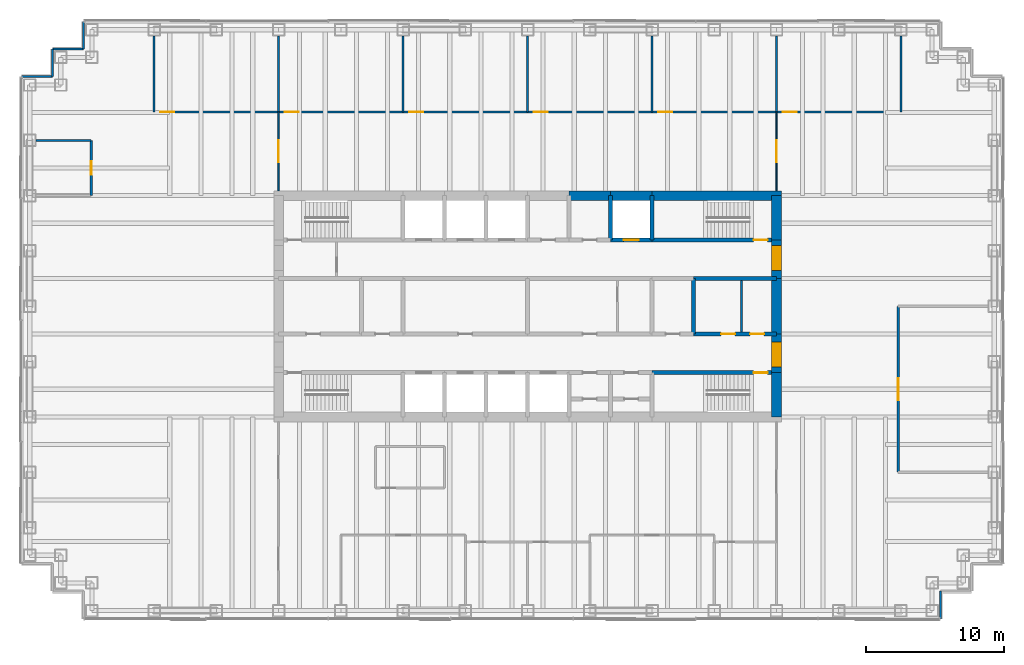
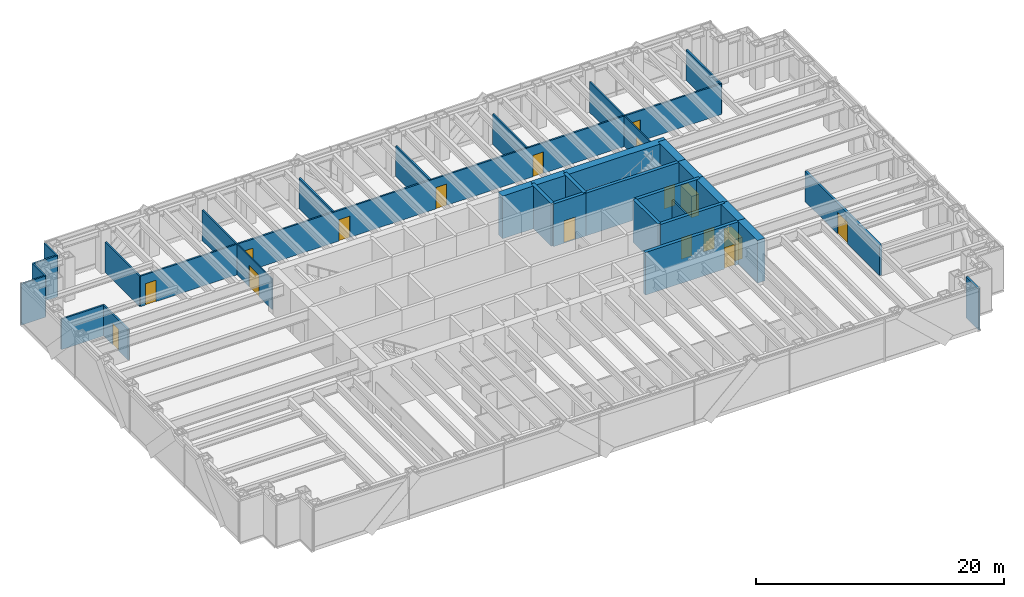
# One storey, part 13 of 15: 35 walls, 17 doors, 17 openings.
"""IFC4 building model written with IfcOpenShell, lengths in metres."""

from ifc_helpers import new_model, si_unit, direction, frame, frame_2d, origin, place, context, subcontext, project, spatial, rectangle, extrude, material, layer, layer_set, type_object, element, fill, save


model = new_model("IFC4")

# Units and contexts
model_context = context("Model", 3, precision=1e-05, world=origin(), true_north=direction((0.0, 1.0)))
body_context = subcontext(model_context, "Body", "Model", "MODEL_VIEW")
ifc_project = project(units=[si_unit("LENGTHUNIT", "METRE"), si_unit("AREAUNIT", "SQUARE_METRE"), si_unit("VOLUMEUNIT", "CUBIC_METRE"), si_unit("PLANEANGLEUNIT", "RADIAN"), si_unit("MASSUNIT", "GRAM", prefix="KILO")], contexts=[model_context])

# Site, building, storey
site_placement = place(None, origin())
site = spatial("IfcSite", under=ifc_project, at=site_placement, CompositionType="ELEMENT")
building_placement = place(site_placement, origin())
building = spatial("IfcBuilding", under=site, at=building_placement, Name="Rheinbord Bourse Tower", CompositionType="ELEMENT")
storey_placement = place(building_placement, frame((0.0, 0.0, 279.5)))
storey = spatial("IfcBuildingStorey", under=building, at=storey_placement, Name="L63", CompositionType="ELEMENT", Elevation=279.5)

# Wall, opening, door
ifc_material_1 = material(Name="Acoustic gypsum board partition", Category="gypsum board")
ifc_layer_1 = layer(ifc_material_1, 0.199951171875)
ifc_layer_set_1 = layer_set([ifc_layer_1], Name="ACOUSTIC PARTITION 200")
wall_type_1 = type_object("IfcWallType", Name="ACOUSTIC PARTITION 200", PredefinedType="PARTITIONING", material=ifc_layer_set_1)
wall_1_placement = place(storey_placement, frame((62.800048828125, 12.0, 0.0), z_axis=(0.0, 0.0, 1.0), x_axis=(0.0, 1.0, 0.0)))
wall_1 = element("IfcWall", 1, at=wall_1_placement, inside=storey, type_object=wall_type_1, Name="Partition L63-34", PredefinedType="PARTITIONING", context=body_context, shape_type="SweptSolid", body=[
    extrude(rectangle(XDim=12.0, YDim=0.199951171875, at=frame_2d((6.0, 0.0))), origin(), (0.0, 0.0, 1.0), 3.0),
])
opening_1_placement = place(wall_1_placement, frame((5.199951171875, 0.0, 0.0)))
opening_1 = element("IfcOpeningElement", 2, at=opening_1_placement, cuts=wall_1, Name="Opening 63D07", PredefinedType="OPENING", context=body_context, shape_type="SweptSolid", body=[
    extrude(rectangle(XDim=1.60009765625, YDim=2.10009765625, at=frame_2d((0.800048828125, 1.050048828125))), frame((0.0, 0.10986328125, 0.0), z_axis=(0.0, -1.0, 0.0), x_axis=(1.0, 0.0, 0.0)), (0.0, 0.0, 1.0), 0.219970703125),
])
ifc_material_2 = material(Name="Timber door", Category="wood")
door_type_1 = type_object("IfcDoorType", Name="DOUBLE ROOM DOOR 1600", OperationType="DOUBLE_DOOR_DOUBLE_SWING", PredefinedType="DOOR", material=ifc_material_2)
door_1_placement = place(opening_1_placement, origin())
door_1 = element("IfcDoor", 3, at=door_1_placement, inside=storey, type_object=door_type_1, Name="Conference room door L63", OperationType="SINGLE_SWING_LEFT", OverallHeight=2.10009765625, OverallWidth=1.60009765625, PredefinedType="DOOR", context=body_context, shape_type="SweptSolid", body=[
    extrude(rectangle(XDim=1.60009765625, YDim=2.10009765625, at=frame_2d((0.800048828125, 1.050048828125))), frame((0.0, 0.02490234375, 0.0), z_axis=(0.0, -1.0, 0.0), x_axis=(1.0, 0.0, 0.0)), (0.0, 0.0, 1.0), 0.050048828125),
])
fill(opening_1, door_1)

ifc_material_3 = material(Name="Concrete C50/60", Category="concrete")
ifc_layer_2 = layer(ifc_material_3, 0.300048828125)
ifc_layer_set_2 = layer_set([ifc_layer_2], Name="CORE INNER WALL 300")
wall_type_2 = type_object("IfcWallType", Name="CORE INNER WALL 300", PredefinedType="SOLIDWALL", material=ifc_layer_set_2)
wall_2_placement = place(storey_placement, frame((45.0, 19.199951171875, 0.0), z_axis=(0.0, 0.0, 1.0), x_axis=(1.0, 0.0, 0.0)))
wall_2 = element("IfcWall", 4, at=wall_2_placement, inside=storey, type_object=wall_type_2, Name="Core wall A8 L63", PredefinedType="SOLIDWALL", context=body_context, shape_type="SweptSolid", body=[
    extrude(rectangle(XDim=9.0, YDim=0.300048828125, at=frame_2d((4.5, 0.0))), origin(), (0.0, 0.0, 1.0), 4.199951171875),
])
opening_2_placement = place(wall_2_placement, frame((7.35009765625, 0.0, 0.0)))
opening_2 = element("IfcOpeningElement", 5, at=opening_2_placement, cuts=wall_2, Name="Opening 6330", PredefinedType="OPENING", context=body_context, shape_type="SweptSolid", body=[
    extrude(rectangle(XDim=1.0, YDim=2.10009765625, at=frame_2d((0.5, 1.050048828125))), frame((0.0, 0.159912109375, 0.0), z_axis=(0.0, -1.0, 0.0), x_axis=(1.0, 0.0, 0.0)), (0.0, 0.0, 1.0), 0.320068359375),
])
ifc_material_4 = material(Name="Steel door", Category="steel")
door_type_2 = type_object("IfcDoorType", Name="DOOR 1000 EI30", OperationType="SINGLE_SWING_LEFT", PredefinedType="DOOR", material=ifc_material_4)
door_2_placement = place(opening_2_placement, origin())
door_2 = element("IfcDoor", 6, at=door_2_placement, inside=storey, type_object=door_type_2, Name="Stair door ST3 L63", OperationType="SINGLE_SWING_RIGHT", OverallHeight=2.10009765625, OverallWidth=1.0, PredefinedType="DOOR", context=body_context, shape_type="SweptSolid", body=[
    extrude(rectangle(XDim=1.0, YDim=2.10009765625, at=frame_2d((0.5, 1.050048828125))), frame((0.0, 0.02490234375, 0.0), z_axis=(0.0, -1.0, 0.0), x_axis=(1.0, 0.0, 0.0)), (0.0, 0.0, 1.0), 0.050048828125),
])
fill(opening_2, door_2)

wall_3_placement = place(storey_placement, frame((42.0, 28.800048828125, 0.0), z_axis=(0.0, 0.0, 1.0), x_axis=(1.0, 0.0, 0.0)))
wall_3 = element("IfcWall", 7, at=wall_3_placement, inside=storey, type_object=wall_type_2, Name="Core wall B7 L63", PredefinedType="SOLIDWALL", context=body_context, shape_type="SweptSolid", body=[
    extrude(rectangle(XDim=3.0, YDim=0.300048828125, at=frame_2d((1.5, 0.0))), origin(), (0.0, 0.0, 1.0), 4.199951171875),
])
opening_3_placement = place(wall_3_placement, frame((0.949951171875, 0.0, 0.0)))
opening_3 = element("IfcOpeningElement", 8, at=opening_3_placement, cuts=wall_3, Name="Opening FL2", PredefinedType="OPENING", context=body_context, shape_type="SweptSolid", body=[
    extrude(rectangle(XDim=1.10009765625, YDim=2.199951171875, at=frame_2d((0.550048828125, 1.10009765625))), frame((0.0, 0.159912109375, 0.0), z_axis=(0.0, -1.0, 0.0), x_axis=(1.0, 0.0, 0.0)), (0.0, 0.0, 1.0), 0.320068359375),
])
ifc_material_5 = material(Name="Steel landing door", Category="steel")
door_type_3 = type_object("IfcDoorType", Name="LIFT LANDING DOOR 1100", OperationType="DOUBLE_DOOR_SLIDING", PredefinedType="USERDEFINED", material=ifc_material_5)
door_3_placement = place(opening_3_placement, origin())
door_3 = element("IfcDoor", 9, at=door_3_placement, inside=storey, type_object=door_type_3, Name="Lift landing door FL2 L63", ObjectType="LIFT LANDING DOOR", OperationType="DOUBLE_DOOR_SLIDING", OverallHeight=2.199951171875, OverallWidth=1.10009765625, PredefinedType="USERDEFINED", context=body_context, shape_type="SweptSolid", body=[
    extrude(rectangle(XDim=1.10009765625, YDim=2.199951171875, at=frame_2d((0.550048828125, 1.10009765625))), frame((0.0, 0.02490234375, 0.0), z_axis=(0.0, -1.0, 0.0), x_axis=(1.0, 0.0, 0.0)), (0.0, 0.0, 1.0), 0.050048828125),
])
fill(opening_3, door_3)

wall_4_placement = place(storey_placement, frame((45.0, 28.800048828125, 0.0), z_axis=(0.0, 0.0, 1.0), x_axis=(1.0, 0.0, 0.0)))
wall_4 = element("IfcWall", 10, at=wall_4_placement, inside=storey, type_object=wall_type_2, Name="Core wall B8 L63", PredefinedType="SOLIDWALL", context=body_context, shape_type="SweptSolid", body=[
    extrude(rectangle(XDim=9.0, YDim=0.300048828125, at=frame_2d((4.5, 0.0))), origin(), (0.0, 0.0, 1.0), 4.199951171875),
])
opening_4_placement = place(wall_4_placement, frame((7.35009765625, 0.0, 0.0)))
opening_4 = element("IfcOpeningElement", 11, at=opening_4_placement, cuts=wall_4, Name="Opening 6340", PredefinedType="OPENING", context=body_context, shape_type="SweptSolid", body=[
    extrude(rectangle(XDim=1.0, YDim=2.10009765625, at=frame_2d((0.5, 1.050048828125))), frame((0.0, 0.159912109375, 0.0), z_axis=(0.0, -1.0, 0.0), x_axis=(1.0, 0.0, 0.0)), (0.0, 0.0, 1.0), 0.320068359375),
])
door_4_placement = place(opening_4_placement, origin())
door_4 = element("IfcDoor", 12, at=door_4_placement, inside=storey, type_object=door_type_2, Name="Stair door ST4 L63", OperationType="SINGLE_SWING_RIGHT", OverallHeight=2.10009765625, OverallWidth=1.0, PredefinedType="DOOR", context=body_context, shape_type="SweptSolid", body=[
    extrude(rectangle(XDim=1.0, YDim=2.10009765625, at=frame_2d((0.5, 1.050048828125))), frame((0.0, 0.02490234375, 0.0), z_axis=(0.0, -1.0, 0.0), x_axis=(1.0, 0.0, 0.0)), (0.0, 0.0, 1.0), 0.050048828125),
])
fill(opening_4, door_4)

# Wall, openings, doors
wall_5_placement = place(storey_placement, frame((48.0, 22.0, 0.0), z_axis=(0.0, 0.0, 1.0), x_axis=(1.0, 0.0, 0.0)))
wall_5 = element("IfcWall", 13, at=wall_5_placement, inside=storey, type_object=wall_type_2, Name="Core wall C6 L63", PredefinedType="SOLIDWALL", context=body_context, shape_type="SweptSolid", body=[
    extrude(rectangle(XDim=6.0, YDim=0.300048828125, at=frame_2d((3.0, 0.0))), origin(), (0.0, 0.0, 1.0), 4.199951171875),
])
opening_5_placement = place(wall_5_placement, frame((2.0, 0.0, 0.0)))
opening_5 = element("IfcOpeningElement", 14, at=opening_5_placement, cuts=wall_5, Name="Opening 63R6", PredefinedType="OPENING", context=body_context, shape_type="SweptSolid", body=[
    extrude(rectangle(XDim=1.0, YDim=2.10009765625, at=frame_2d((0.5, 1.050048828125))), frame((0.0, 0.159912109375, 0.0), z_axis=(0.0, -1.0, 0.0), x_axis=(1.0, 0.0, 0.0)), (0.0, 0.0, 1.0), 0.320068359375),
])
opening_6_placement = place(wall_5_placement, frame((4.10009765625, 0.0, 0.0)))
opening_6 = element("IfcOpeningElement", 15, at=opening_6_placement, cuts=wall_5, Name="Opening 63R10", PredefinedType="OPENING", context=body_context, shape_type="SweptSolid", body=[
    extrude(rectangle(XDim=1.0, YDim=2.10009765625, at=frame_2d((0.5, 1.050048828125))), frame((0.0, 0.159912109375, 0.0), z_axis=(0.0, -1.0, 0.0), x_axis=(1.0, 0.0, 0.0)), (0.0, 0.0, 1.0), 0.320068359375),
])
door_5_placement = place(opening_6_placement, origin())
door_5 = element("IfcDoor", 16, at=door_5_placement, inside=storey, type_object=door_type_2, Name="Baby change door L63", OperationType="SINGLE_SWING_RIGHT", OverallHeight=2.10009765625, OverallWidth=1.0, PredefinedType="DOOR", context=body_context, shape_type="SweptSolid", body=[
    extrude(rectangle(XDim=1.0, YDim=2.10009765625, at=frame_2d((0.5, 1.050048828125))), frame((0.0, 0.02490234375, 0.0), z_axis=(0.0, -1.0, 0.0), x_axis=(1.0, 0.0, 0.0)), (0.0, 0.0, 1.0), 0.050048828125),
])
fill(opening_6, door_5)
ifc_material_6 = material(Name="Timber door", Category="wood")
door_type_4 = type_object("IfcDoorType", Name="DOOR 1000 WC", OperationType="SINGLE_SWING_LEFT", PredefinedType="DOOR", material=ifc_material_6)
door_6_placement = place(opening_5_placement, origin())
door_6 = element("IfcDoor", 17, at=door_6_placement, inside=storey, type_object=door_type_4, Name="WC women door L63", OperationType="SINGLE_SWING_LEFT", OverallHeight=2.10009765625, OverallWidth=1.0, PredefinedType="DOOR", context=body_context, shape_type="SweptSolid", body=[
    extrude(rectangle(XDim=1.0, YDim=2.10009765625, at=frame_2d((0.5, 1.050048828125))), frame((0.0, 0.02490234375, 0.0), z_axis=(0.0, -1.0, 0.0), x_axis=(1.0, 0.0, 0.0)), (0.0, 0.0, 1.0), 0.050048828125),
])
fill(opening_5, door_6)

# Walls
wall_6_placement = place(storey_placement, frame((48.0, 26.0, 0.0), z_axis=(0.0, 0.0, 1.0), x_axis=(1.0, 0.0, 0.0)))
element("IfcWall", 18, at=wall_6_placement, inside=storey, type_object=wall_type_2, Name="Core wall D6 L63", PredefinedType="SOLIDWALL", context=body_context, shape_type="SweptSolid", body=[
    extrude(rectangle(XDim=6.0, YDim=0.300048828125, at=frame_2d((3.0, 0.0))), origin(), (0.0, 0.0, 1.0), 4.199951171875),
])
for number, where, z_axis, x_axis, name in (
    (19, (42.0, 28.800048828125, 0.0), (0.0, 0.0, 1.0), (0.0, 1.0, 0.0), "Core wall NX42 L63"),
    (20, (45.0, 28.800048828125, 0.0), (0.0, 0.0, 1.0), (0.0, 1.0, 0.0), "Core wall NX45 L63"),
):
    element("IfcWall", number, at=place(storey_placement, frame(where, z_axis=z_axis, x_axis=x_axis)), inside=storey, type_object=wall_type_2, Name=name, PredefinedType="SOLIDWALL", context=body_context, shape_type="SweptSolid", body=[
        extrude(rectangle(XDim=3.199951171875, YDim=0.300048828125, at=frame_2d((1.60009765625, 0.0))), origin(), (0.0, 0.0, 1.0), 4.199951171875),
    ])
wall_7_placement = place(storey_placement, frame((48.0, 22.0, 0.0), z_axis=(0.0, 0.0, 1.0), x_axis=(0.0, 1.0, 0.0)))
element("IfcWall", 21, at=wall_7_placement, inside=storey, type_object=wall_type_2, Name="Core wall MX48 L63", PredefinedType="SOLIDWALL", context=body_context, shape_type="SweptSolid", body=[
    extrude(rectangle(XDim=4.0, YDim=0.300048828125, at=frame_2d((2.0, 0.0))), origin(), (0.0, 0.0, 1.0), 4.199951171875),
])
ifc_material_7 = material(Name="Gypsum board fire partition", Category="gypsum board")
ifc_layer_3 = layer(ifc_material_7, 0.14990234375)
ifc_layer_set_3 = layer_set([ifc_layer_3], Name="CORE PARTITION 150 EI30")
wall_type_3 = type_object("IfcWallType", Name="CORE PARTITION 150 EI30", PredefinedType="PARTITIONING", material=ifc_layer_set_3)
wall_8_placement = place(storey_placement, frame((51.47509765625, 22.14990234375, 0.0), z_axis=(0.0, 0.0, 1.0), x_axis=(0.0, 1.0, 0.0)))
element("IfcWall", 22, at=wall_8_placement, inside=storey, type_object=wall_type_3, Name="Core partition L63-3", PredefinedType="PARTITIONING", context=body_context, shape_type="SweptSolid", body=[
    extrude(rectangle(XDim=3.7001953125, YDim=0.14990234375, at=frame_2d((1.85009765625, 0.0))), origin(), (0.0, 0.0, 1.0), 3.0),
])
ifc_material_8 = material(Name="Concrete C50/60", Category="concrete")
ifc_layer_4 = layer(ifc_material_8, 0.699951171875)
ifc_layer_set_4 = layer_set([ifc_layer_4], Name="CORE WALL 700")
wall_type_4 = type_object("IfcWallType", Name="CORE WALL 700", PredefinedType="SHEAR", material=ifc_layer_set_4)
wall_9_placement = place(storey_placement, frame((54.35009765625, 32.0, 0.0), z_axis=(0.0, 0.0, 1.0), x_axis=(-1.0, 0.0, 0.0)))
element("IfcWall", 23, at=wall_9_placement, inside=storey, type_object=wall_type_4, Name="Core wall N1 L63", PredefinedType="SHEAR", context=body_context, shape_type="SweptSolid", body=[
    extrude(rectangle(XDim=9.35009765625, YDim=0.699951171875, at=frame_2d((4.675048828125, 0.0))), origin(), (0.0, 0.0, 1.0), 4.199951171875),
])
for number, where, z_axis, x_axis, name in (
    (24, (45.0, 32.0, 0.0), (0.0, 0.0, 1.0), (-1.0, 0.0, 0.0), "Core wall N2 L63"),
    (25, (42.0, 32.0, 0.0), (0.0, 0.0, 1.0), (-1.0, 0.0, 0.0), "Core wall N3 L63"),
):
    element("IfcWall", number, at=place(storey_placement, frame(where, z_axis=z_axis, x_axis=x_axis)), inside=storey, type_object=wall_type_4, Name=name, PredefinedType="SHEAR", context=body_context, shape_type="SweptSolid", body=[
        extrude(rectangle(XDim=3.0, YDim=0.699951171875, at=frame_2d((1.5, 0.0))), origin(), (0.0, 0.0, 1.0), 4.199951171875),
    ])
wall_10_placement = place(storey_placement, frame((54.0, 16.0, 0.0), z_axis=(0.0, 0.0, 1.0), x_axis=(0.0, 1.0, 0.0)))
element("IfcWall", 26, at=wall_10_placement, inside=storey, type_object=wall_type_4, Name="Core wall E1 L63", PredefinedType="SHEAR", context=body_context, shape_type="SweptSolid", body=[
    extrude(rectangle(XDim=3.199951171875, YDim=0.699951171875, at=frame_2d((1.60009765625, 0.0))), origin(), (0.0, 0.0, 1.0), 4.199951171875),
])

# Wall, opening, door
wall_11_placement = place(storey_placement, frame((54.0, 19.199951171875, 0.0), z_axis=(0.0, 0.0, 1.0), x_axis=(0.0, 1.0, 0.0)))
wall_11 = element("IfcWall", 27, at=wall_11_placement, inside=storey, type_object=wall_type_4, Name="Core wall E2 L63", PredefinedType="SHEAR", context=body_context, shape_type="SweptSolid", body=[
    extrude(rectangle(XDim=2.800048828125, YDim=0.699951171875, at=frame_2d((1.39990234375, 0.0))), origin(), (0.0, 0.0, 1.0), 4.199951171875),
])
opening_7_placement = place(wall_11_placement, frame((0.39990234375, 0.0, 0.0)))
opening_7 = element("IfcOpeningElement", 28, at=opening_7_placement, cuts=wall_11, Name="Opening 63L3", PredefinedType="OPENING", context=body_context, shape_type="SweptSolid", body=[
    extrude(rectangle(XDim=1.800048828125, YDim=2.10009765625, at=frame_2d((0.89990234375, 1.050048828125))), frame((0.0, 0.35986328125, 0.0), z_axis=(0.0, -1.0, 0.0), x_axis=(1.0, 0.0, 0.0)), (0.0, 0.0, 1.0), 0.719970703125),
])
ifc_material_9 = material(Name="Steel door", Category="steel")
door_type_5 = type_object("IfcDoorType", Name="DOOR 1800 EI30 DOUBLE", OperationType="DOUBLE_DOOR_DOUBLE_SWING", PredefinedType="DOOR", material=ifc_material_9)
door_7_placement = place(opening_7_placement, origin())
door_7 = element("IfcDoor", 29, at=door_7_placement, inside=storey, type_object=door_type_5, Name="Lobby door 3 L63", OperationType="SINGLE_SWING_LEFT", OverallHeight=2.10009765625, OverallWidth=1.800048828125, PredefinedType="DOOR", context=body_context, shape_type="SweptSolid", body=[
    extrude(rectangle(XDim=1.800048828125, YDim=2.10009765625, at=frame_2d((0.89990234375, 1.050048828125))), frame((0.0, 0.349609375, 0.0), z_axis=(0.0, -1.0, 0.0), x_axis=(1.0, 0.0, 0.0)), (0.0, 0.0, 1.0), 0.699462890625),
])
fill(opening_7, door_7)

# Wall
wall_12_placement = place(storey_placement, frame((54.0, 22.0, 0.0), z_axis=(0.0, 0.0, 1.0), x_axis=(0.0, 1.0, 0.0)))
element("IfcWall", 30, at=wall_12_placement, inside=storey, type_object=wall_type_4, Name="Core wall E3 L63", PredefinedType="SHEAR", context=body_context, shape_type="SweptSolid", body=[
    extrude(rectangle(XDim=4.0, YDim=0.699951171875, at=frame_2d((2.0, 0.0))), origin(), (0.0, 0.0, 1.0), 4.199951171875),
])

# Wall, opening, door
wall_13_placement = place(storey_placement, frame((54.0, 26.0, 0.0), z_axis=(0.0, 0.0, 1.0), x_axis=(0.0, 1.0, 0.0)))
wall_13 = element("IfcWall", 31, at=wall_13_placement, inside=storey, type_object=wall_type_4, Name="Core wall E4 L63", PredefinedType="SHEAR", context=body_context, shape_type="SweptSolid", body=[
    extrude(rectangle(XDim=2.800048828125, YDim=0.699951171875, at=frame_2d((1.39990234375, 0.0))), origin(), (0.0, 0.0, 1.0), 4.199951171875),
])
opening_8_placement = place(wall_13_placement, frame((0.60009765625, 0.0, 0.0)))
opening_8 = element("IfcOpeningElement", 32, at=opening_8_placement, cuts=wall_13, Name="Opening 63L4", PredefinedType="OPENING", context=body_context, shape_type="SweptSolid", body=[
    extrude(rectangle(XDim=1.800048828125, YDim=2.10009765625, at=frame_2d((0.89990234375, 1.050048828125))), frame((0.0, 0.35986328125, 0.0), z_axis=(0.0, -1.0, 0.0), x_axis=(1.0, 0.0, 0.0)), (0.0, 0.0, 1.0), 0.719970703125),
])
door_8_placement = place(opening_8_placement, origin())
door_8 = element("IfcDoor", 33, at=door_8_placement, inside=storey, type_object=door_type_5, Name="Lobby door 4 L63", OperationType="SINGLE_SWING_LEFT", OverallHeight=2.10009765625, OverallWidth=1.800048828125, PredefinedType="DOOR", context=body_context, shape_type="SweptSolid", body=[
    extrude(rectangle(XDim=1.800048828125, YDim=2.10009765625, at=frame_2d((0.89990234375, 1.050048828125))), frame((0.0, 0.349609375, 0.0), z_axis=(0.0, -1.0, 0.0), x_axis=(1.0, 0.0, 0.0)), (0.0, 0.0, 1.0), 0.699462890625),
])
fill(opening_8, door_8)

# Walls
wall_14_placement = place(storey_placement, frame((54.0, 28.800048828125, 0.0), z_axis=(0.0, 0.0, 1.0), x_axis=(0.0, 1.0, 0.0)))
element("IfcWall", 34, at=wall_14_placement, inside=storey, type_object=wall_type_4, Name="Core wall E5 L63", PredefinedType="SHEAR", context=body_context, shape_type="SweptSolid", body=[
    extrude(rectangle(XDim=3.199951171875, YDim=0.699951171875, at=frame_2d((1.60009765625, 0.0))), origin(), (0.0, 0.0, 1.0), 4.199951171875),
])
ifc_material_10 = material(Name="Black metal rainscreen panel", Category="aluminium")
ifc_layer_5 = layer(ifc_material_10, 0.14990234375)
ifc_layer_set_5 = layer_set([ifc_layer_5], Name="CORNER PIER CLADDING 150")
wall_type_5 = type_object("IfcWallType", Name="CORNER PIER CLADDING 150", PredefinedType="ELEMENTEDWALL", material=ifc_layer_set_5)
for number, where, z_axis, x_axis, name in (
    (35, (65.85009765625, 1.39990234375, 0.0), (0.0, 0.0, 1.0), (0.0, 1.0, 0.0), "Corner pier cladding L63 2"),
    (36, (3.89990234375, 44.60009765625, 0.0), (0.0, 0.0, 1.0), (0.0, -1.0, 0.0), "Corner pier cladding L63 12"),
):
    element("IfcWall", number, at=place(storey_placement, frame(where, z_axis=z_axis, x_axis=x_axis)), inside=storey, type_object=wall_type_5, Name=name, PredefinedType="ELEMENTEDWALL", context=body_context, shape_type="SweptSolid", body=[
        extrude(rectangle(XDim=2.0, YDim=0.14990234375, at=frame_2d((1.0, 0.0))), origin(), (0.0, 0.0, 1.0), 4.0400390625),
    ])
wall_15_placement = place(storey_placement, frame((3.89990234375, 42.60009765625, 0.0), z_axis=(0.0, 0.0, 1.0), x_axis=(-1.0, 0.0, 0.0)))
element("IfcWall", 37, at=wall_15_placement, inside=storey, type_object=wall_type_5, Name="Corner pier cladding L63 13", PredefinedType="ELEMENTEDWALL", context=body_context, shape_type="SweptSolid", body=[
    extrude(rectangle(XDim=2.25, YDim=0.14990234375, at=frame_2d((1.125, 0.0))), origin(), (0.0, 0.0, 1.0), 4.0400390625),
])
wall_16_placement = place(storey_placement, frame((1.64990234375, 42.60009765625, 0.0), z_axis=(0.0, 0.0, 1.0), x_axis=(0.0, -1.0, 0.0)))
element("IfcWall", 38, at=wall_16_placement, inside=storey, type_object=wall_type_5, Name="Corner pier cladding L63 14", PredefinedType="ELEMENTEDWALL", context=body_context, shape_type="SweptSolid", body=[
    extrude(rectangle(XDim=2.0, YDim=0.14990234375, at=frame_2d((1.0, 0.0))), origin(), (0.0, 0.0, 1.0), 4.0400390625),
])
wall_17_placement = place(storey_placement, frame((1.64990234375, 40.60009765625, 0.0), z_axis=(0.0, 0.0, 1.0), x_axis=(-1.0, 0.0, 0.0)))
element("IfcWall", 39, at=wall_17_placement, inside=storey, type_object=wall_type_5, Name="Corner pier cladding L63 15", PredefinedType="ELEMENTEDWALL", context=body_context, shape_type="SweptSolid", body=[
    extrude(rectangle(XDim=2.25, YDim=0.14990234375, at=frame_2d((1.125, 0.0))), origin(), (0.0, 0.0, 1.0), 4.0400390625),
])

# Wall, opening, door
ifc_material_11 = material(Name="Toughened laminated glass partition", Category="glass")
ifc_layer_6 = layer(ifc_material_11, 0.10009765625)
ifc_layer_set_6 = layer_set([ifc_layer_6], Name="GLAZED PARTITION 100")
wall_type_6 = type_object("IfcWallType", Name="GLAZED PARTITION 100", PredefinedType="PARTITIONING", material=ifc_layer_set_6)
wall_18_placement = place(storey_placement, frame((18.0, 32.35009765625, 0.0), z_axis=(0.0, 0.0, 1.0), x_axis=(0.0, 1.0, 0.0)))
wall_18 = element("IfcWall", 40, at=wall_18_placement, inside=storey, type_object=wall_type_6, Name="Partition L63-15", PredefinedType="PARTITIONING", context=body_context, shape_type="SweptSolid", body=[
    extrude(rectangle(XDim=5.699951171875, YDim=0.10009765625, at=frame_2d((2.85009765625, 0.0))), origin(), (0.0, 0.0, 1.0), 3.0),
])
opening_9_placement = place(wall_18_placement, frame((2.050048828125, 0.0, 0.0)))
opening_9 = element("IfcOpeningElement", 41, at=opening_9_placement, cuts=wall_18, Name="Opening 63D17", PredefinedType="OPENING", context=body_context, shape_type="SweptSolid", body=[
    extrude(rectangle(XDim=1.60009765625, YDim=2.10009765625, at=frame_2d((0.800048828125, 1.050048828125))), frame((0.0, 0.06005859375, 0.0), z_axis=(0.0, -1.0, 0.0), x_axis=(1.0, 0.0, 0.0)), (0.0, 0.0, 1.0), 0.1201171875),
])
door_9_placement = place(opening_9_placement, origin())
door_9 = element("IfcDoor", 42, at=door_9_placement, inside=storey, type_object=door_type_1, Name="Open area door L63", OperationType="SINGLE_SWING_LEFT", OverallHeight=2.10009765625, OverallWidth=1.60009765625, PredefinedType="DOOR", context=body_context, shape_type="SweptSolid", body=[
    extrude(rectangle(XDim=1.60009765625, YDim=2.10009765625, at=frame_2d((0.800048828125, 1.050048828125))), frame((0.0, 0.02490234375, 0.0), z_axis=(0.0, -1.0, 0.0), x_axis=(1.0, 0.0, 0.0)), (0.0, 0.0, 1.0), 0.050048828125),
])
fill(opening_9, door_9)

wall_19_placement = place(storey_placement, frame((54.0, 32.35009765625, 0.0), z_axis=(0.0, 0.0, 1.0), x_axis=(0.0, 1.0, 0.0)))
wall_19 = element("IfcWall", 43, at=wall_19_placement, inside=storey, type_object=wall_type_6, Name="Partition L63-32", PredefinedType="PARTITIONING", context=body_context, shape_type="SweptSolid", body=[
    extrude(rectangle(XDim=5.699951171875, YDim=0.10009765625, at=frame_2d((2.85009765625, 0.0))), origin(), (0.0, 0.0, 1.0), 3.0),
])
opening_10_placement = place(wall_19_placement, frame((2.050048828125, 0.0, 0.0)))
opening_10 = element("IfcOpeningElement", 44, at=opening_10_placement, cuts=wall_19, Name="Opening 63D19", PredefinedType="OPENING", context=body_context, shape_type="SweptSolid", body=[
    extrude(rectangle(XDim=1.60009765625, YDim=2.10009765625, at=frame_2d((0.800048828125, 1.050048828125))), frame((0.0, 0.06005859375, 0.0), z_axis=(0.0, -1.0, 0.0), x_axis=(1.0, 0.0, 0.0)), (0.0, 0.0, 1.0), 0.1201171875),
])
door_10_placement = place(opening_10_placement, origin())
door_10 = element("IfcDoor", 45, at=door_10_placement, inside=storey, type_object=door_type_1, Name="Open area door L63", OperationType="SINGLE_SWING_LEFT", OverallHeight=2.10009765625, OverallWidth=1.60009765625, PredefinedType="DOOR", context=body_context, shape_type="SweptSolid", body=[
    extrude(rectangle(XDim=1.60009765625, YDim=2.10009765625, at=frame_2d((0.800048828125, 1.050048828125))), frame((0.0, 0.02490234375, 0.0), z_axis=(0.0, -1.0, 0.0), x_axis=(1.0, 0.0, 0.0)), (0.0, 0.0, 1.0), 0.050048828125),
])
fill(opening_10, door_10)

# Wall
ifc_material_12 = material(Name="Gypsum board partition", Category="gypsum board")
ifc_layer_7 = layer(ifc_material_12, 0.14990234375)
ifc_layer_set_7 = layer_set([ifc_layer_7], Name="PARTITION 150")
wall_type_7 = type_object("IfcWallType", Name="PARTITION 150", PredefinedType="PARTITIONING", material=ifc_layer_set_7)
wall_20_placement = place(storey_placement, frame((0.449951171875, 36.0, 0.0), z_axis=(0.0, 0.0, 1.0), x_axis=(1.0, 0.0, 0.0)))
element("IfcWall", 46, at=wall_20_placement, inside=storey, type_object=wall_type_7, Name="Partition L63-10", PredefinedType="PARTITIONING", context=body_context, shape_type="SweptSolid", body=[
    extrude(rectangle(XDim=4.0, YDim=0.14990234375, at=frame_2d((2.0, 0.0))), origin(), (0.0, 0.0, 1.0), 3.0),
])

# Wall, openings, doors
wall_21_placement = place(storey_placement, frame((9.0, 38.050048828125, 0.0), z_axis=(0.0, 0.0, 1.0), x_axis=(1.0, 0.0, 0.0)))
wall_21 = element("IfcWall", 47, at=wall_21_placement, inside=storey, type_object=wall_type_7, Name="Partition L63-11", PredefinedType="PARTITIONING", context=body_context, shape_type="SweptSolid", body=[
    extrude(rectangle(XDim=54.0, YDim=0.14990234375, at=frame_2d((27.0, 0.0))), origin(), (0.0, 0.0, 1.0), 3.0),
])
opening_11_placement = place(wall_21_placement, frame((0.449951171875, 0.0, 0.0)))
opening_11 = element("IfcOpeningElement", 48, at=opening_11_placement, cuts=wall_21, Name="Opening 63D09", PredefinedType="OPENING", context=body_context, shape_type="SweptSolid", body=[
    extrude(rectangle(XDim=1.0, YDim=2.10009765625, at=frame_2d((0.5, 1.050048828125))), frame((0.0, 0.0849609375, 0.0), z_axis=(0.0, -1.0, 0.0), x_axis=(1.0, 0.0, 0.0)), (0.0, 0.0, 1.0), 0.169921875),
])
opening_12_placement = place(wall_21_placement, frame((9.449951171875, 0.0, 0.0)))
opening_12 = element("IfcOpeningElement", 49, at=opening_12_placement, cuts=wall_21, Name="Opening 63D10", PredefinedType="OPENING", context=body_context, shape_type="SweptSolid", body=[
    extrude(rectangle(XDim=1.0, YDim=2.10009765625, at=frame_2d((0.5, 1.050048828125))), frame((0.0, 0.0849609375, 0.0), z_axis=(0.0, -1.0, 0.0), x_axis=(1.0, 0.0, 0.0)), (0.0, 0.0, 1.0), 0.169921875),
])
opening_13_placement = place(wall_21_placement, frame((18.449951171875, 0.0, 0.0)))
opening_13 = element("IfcOpeningElement", 50, at=opening_13_placement, cuts=wall_21, Name="Opening 63D11", PredefinedType="OPENING", context=body_context, shape_type="SweptSolid", body=[
    extrude(rectangle(XDim=1.0, YDim=2.10009765625, at=frame_2d((0.5, 1.050048828125))), frame((0.0, 0.0849609375, 0.0), z_axis=(0.0, -1.0, 0.0), x_axis=(1.0, 0.0, 0.0)), (0.0, 0.0, 1.0), 0.169921875),
])
opening_14_placement = place(wall_21_placement, frame((27.449951171875, 0.0, 0.0)))
opening_14 = element("IfcOpeningElement", 51, at=opening_14_placement, cuts=wall_21, Name="Opening 63D12", PredefinedType="OPENING", context=body_context, shape_type="SweptSolid", body=[
    extrude(rectangle(XDim=1.0, YDim=2.10009765625, at=frame_2d((0.5, 1.050048828125))), frame((0.0, 0.0849609375, 0.0), z_axis=(0.0, -1.0, 0.0), x_axis=(1.0, 0.0, 0.0)), (0.0, 0.0, 1.0), 0.169921875),
])
opening_15_placement = place(wall_21_placement, frame((36.449951171875, 0.0, 0.0)))
opening_15 = element("IfcOpeningElement", 52, at=opening_15_placement, cuts=wall_21, Name="Opening 63D13", PredefinedType="OPENING", context=body_context, shape_type="SweptSolid", body=[
    extrude(rectangle(XDim=1.0, YDim=2.10009765625, at=frame_2d((0.5, 1.050048828125))), frame((0.0, 0.0849609375, 0.0), z_axis=(0.0, -1.0, 0.0), x_axis=(1.0, 0.0, 0.0)), (0.0, 0.0, 1.0), 0.169921875),
])
opening_16_placement = place(wall_21_placement, frame((45.449951171875, 0.0, 0.0)))
opening_16 = element("IfcOpeningElement", 53, at=opening_16_placement, cuts=wall_21, Name="Opening 63D14", PredefinedType="OPENING", context=body_context, shape_type="SweptSolid", body=[
    extrude(rectangle(XDim=1.0, YDim=2.10009765625, at=frame_2d((0.5, 1.050048828125))), frame((0.0, 0.0849609375, 0.0), z_axis=(0.0, -1.0, 0.0), x_axis=(1.0, 0.0, 0.0)), (0.0, 0.0, 1.0), 0.169921875),
])
ifc_material_13 = material(Name="Timber door", Category="wood")
door_type_6 = type_object("IfcDoorType", Name="ROOM DOOR 1000", OperationType="SINGLE_SWING_LEFT", PredefinedType="DOOR", material=ifc_material_13)
door_11_placement = place(opening_11_placement, origin())
door_11 = element("IfcDoor", 54, at=door_11_placement, inside=storey, type_object=door_type_6, Name="Executive office door L63", OperationType="SINGLE_SWING_LEFT", OverallHeight=2.10009765625, OverallWidth=1.0, PredefinedType="DOOR", context=body_context, shape_type="SweptSolid", body=[
    extrude(rectangle(XDim=1.0, YDim=2.10009765625, at=frame_2d((0.5, 1.050048828125))), frame((0.0, 0.02490234375, 0.0), z_axis=(0.0, -1.0, 0.0), x_axis=(1.0, 0.0, 0.0)), (0.0, 0.0, 1.0), 0.050048828125),
])
fill(opening_11, door_11)
door_12_placement = place(opening_12_placement, origin())
door_12 = element("IfcDoor", 55, at=door_12_placement, inside=storey, type_object=door_type_6, Name="Executive office door L63", OperationType="SINGLE_SWING_LEFT", OverallHeight=2.10009765625, OverallWidth=1.0, PredefinedType="DOOR", context=body_context, shape_type="SweptSolid", body=[
    extrude(rectangle(XDim=1.0, YDim=2.10009765625, at=frame_2d((0.5, 1.050048828125))), frame((0.0, 0.02490234375, 0.0), z_axis=(0.0, -1.0, 0.0), x_axis=(1.0, 0.0, 0.0)), (0.0, 0.0, 1.0), 0.050048828125),
])
fill(opening_12, door_12)
door_13_placement = place(opening_13_placement, origin())
door_13 = element("IfcDoor", 56, at=door_13_placement, inside=storey, type_object=door_type_6, Name="Executive office door L63", OperationType="SINGLE_SWING_LEFT", OverallHeight=2.10009765625, OverallWidth=1.0, PredefinedType="DOOR", context=body_context, shape_type="SweptSolid", body=[
    extrude(rectangle(XDim=1.0, YDim=2.10009765625, at=frame_2d((0.5, 1.050048828125))), frame((0.0, 0.02490234375, 0.0), z_axis=(0.0, -1.0, 0.0), x_axis=(1.0, 0.0, 0.0)), (0.0, 0.0, 1.0), 0.050048828125),
])
fill(opening_13, door_13)
door_14_placement = place(opening_14_placement, origin())
door_14 = element("IfcDoor", 57, at=door_14_placement, inside=storey, type_object=door_type_6, Name="Executive office door L63", OperationType="SINGLE_SWING_RIGHT", OverallHeight=2.10009765625, OverallWidth=1.0, PredefinedType="DOOR", context=body_context, shape_type="SweptSolid", body=[
    extrude(rectangle(XDim=1.0, YDim=2.10009765625, at=frame_2d((0.5, 1.050048828125))), frame((0.0, 0.02490234375, 0.0), z_axis=(0.0, -1.0, 0.0), x_axis=(1.0, 0.0, 0.0)), (0.0, 0.0, 1.0), 0.050048828125),
])
fill(opening_14, door_14)
door_15_placement = place(opening_15_placement, origin())
door_15 = element("IfcDoor", 58, at=door_15_placement, inside=storey, type_object=door_type_6, Name="Executive office door L63", OperationType="SINGLE_SWING_RIGHT", OverallHeight=2.10009765625, OverallWidth=1.0, PredefinedType="DOOR", context=body_context, shape_type="SweptSolid", body=[
    extrude(rectangle(XDim=1.0, YDim=2.10009765625, at=frame_2d((0.5, 1.050048828125))), frame((0.0, 0.02490234375, 0.0), z_axis=(0.0, -1.0, 0.0), x_axis=(1.0, 0.0, 0.0)), (0.0, 0.0, 1.0), 0.050048828125),
])
fill(opening_15, door_15)
door_16_placement = place(opening_16_placement, origin())
door_16 = element("IfcDoor", 59, at=door_16_placement, inside=storey, type_object=door_type_6, Name="Executive office door L63", OperationType="SINGLE_SWING_RIGHT", OverallHeight=2.10009765625, OverallWidth=1.0, PredefinedType="DOOR", context=body_context, shape_type="SweptSolid", body=[
    extrude(rectangle(XDim=1.0, YDim=2.10009765625, at=frame_2d((0.5, 1.050048828125))), frame((0.0, 0.02490234375, 0.0), z_axis=(0.0, -1.0, 0.0), x_axis=(1.0, 0.0, 0.0)), (0.0, 0.0, 1.0), 0.050048828125),
])
fill(opening_16, door_16)

# Wall, opening, door
wall_22_placement = place(storey_placement, frame((4.449951171875, 32.0, 0.0), z_axis=(0.0, 0.0, 1.0), x_axis=(0.0, 1.0, 0.0)))
wall_22 = element("IfcWall", 60, at=wall_22_placement, inside=storey, type_object=wall_type_7, Name="Partition L63-12", PredefinedType="PARTITIONING", context=body_context, shape_type="SweptSolid", body=[
    extrude(rectangle(XDim=4.0, YDim=0.14990234375, at=frame_2d((2.0, 0.0))), origin(), (0.0, 0.0, 1.0), 3.0),
])
opening_17_placement = place(wall_22_placement, frame((1.5, 0.0, 0.0)))
opening_17 = element("IfcOpeningElement", 61, at=opening_17_placement, cuts=wall_22, Name="Opening 63D08", PredefinedType="OPENING", context=body_context, shape_type="SweptSolid", body=[
    extrude(rectangle(XDim=1.0, YDim=2.10009765625, at=frame_2d((0.5, 1.050048828125))), frame((0.0, 0.0849609375, 0.0), z_axis=(0.0, -1.0, 0.0), x_axis=(1.0, 0.0, 0.0)), (0.0, 0.0, 1.0), 0.169921875),
])
door_17_placement = place(opening_17_placement, origin())
door_17 = element("IfcDoor", 62, at=door_17_placement, inside=storey, type_object=door_type_6, Name="Store door L63", OperationType="SINGLE_SWING_LEFT", OverallHeight=2.10009765625, OverallWidth=1.0, PredefinedType="DOOR", context=body_context, shape_type="SweptSolid", body=[
    extrude(rectangle(XDim=1.0, YDim=2.10009765625, at=frame_2d((0.5, 1.050048828125))), frame((0.0, 0.02490234375, 0.0), z_axis=(0.0, -1.0, 0.0), x_axis=(1.0, 0.0, 0.0)), (0.0, 0.0, 1.0), 0.050048828125),
])
fill(opening_17, door_17)

# Walls
for number, where, z_axis, x_axis, name in (
    (63, (9.0, 38.050048828125, 0.0), (0.0, 0.0, 1.0), (0.0, 1.0, 0.0), "Partition L63-13"),
    (64, (18.0, 38.050048828125, 0.0), (0.0, 0.0, 1.0), (0.0, 1.0, 0.0), "Partition L63-16"),
    (65, (27.0, 38.050048828125, 0.0), (0.0, 0.0, 1.0), (0.0, 1.0, 0.0), "Partition L63-19"),
    (66, (36.0, 38.050048828125, 0.0), (0.0, 0.0, 1.0), (0.0, 1.0, 0.0), "Partition L63-24"),
    (67, (45.0, 38.050048828125, 0.0), (0.0, 0.0, 1.0), (0.0, 1.0, 0.0), "Partition L63-27"),
    (68, (54.0, 38.050048828125, 0.0), (0.0, 0.0, 1.0), (0.0, 1.0, 0.0), "Partition L63-33"),
    (69, (63.0, 38.050048828125, 0.0), (0.0, 0.0, 1.0), (0.0, 1.0, 0.0), "Partition L63-35"),
):
    element("IfcWall", number, at=place(storey_placement, frame(where, z_axis=z_axis, x_axis=x_axis)), inside=storey, type_object=wall_type_7, Name=name, PredefinedType="PARTITIONING", context=body_context, shape_type="SweptSolid", body=[
        extrude(rectangle(XDim=5.5, YDim=0.14990234375, at=frame_2d((2.75, 0.0))), origin(), (0.0, 0.0, 1.0), 3.0),
    ])

save(model, "model.ifc")
